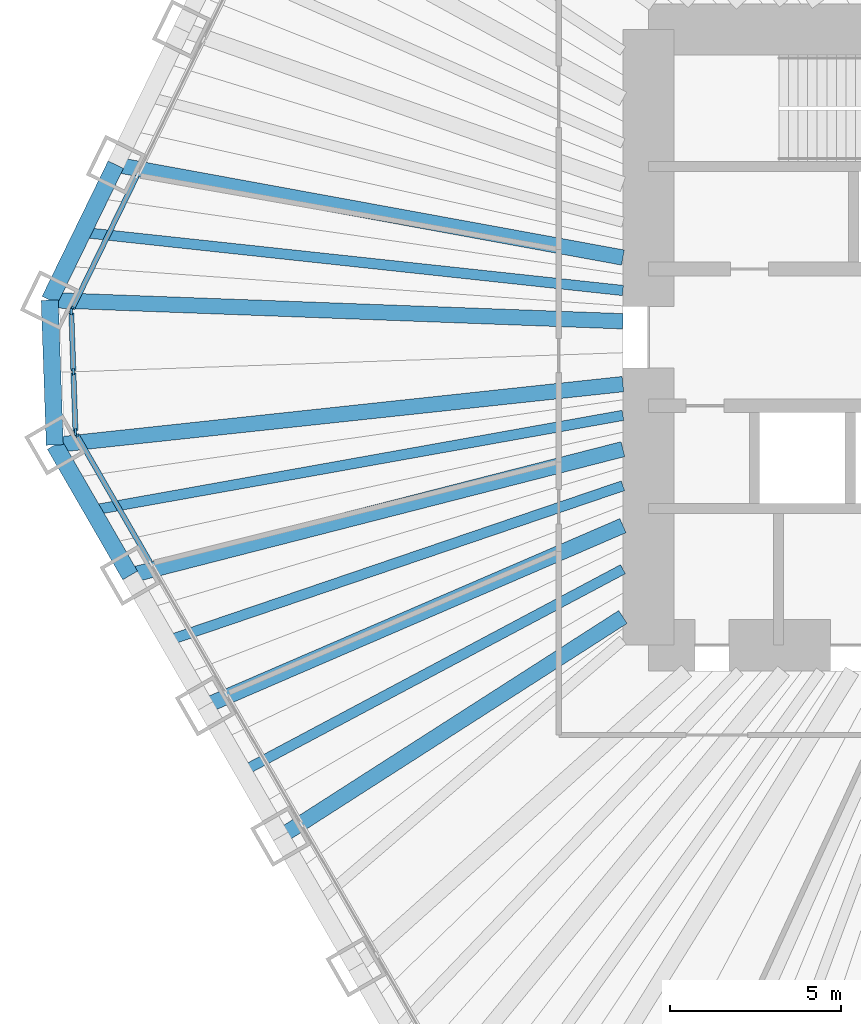
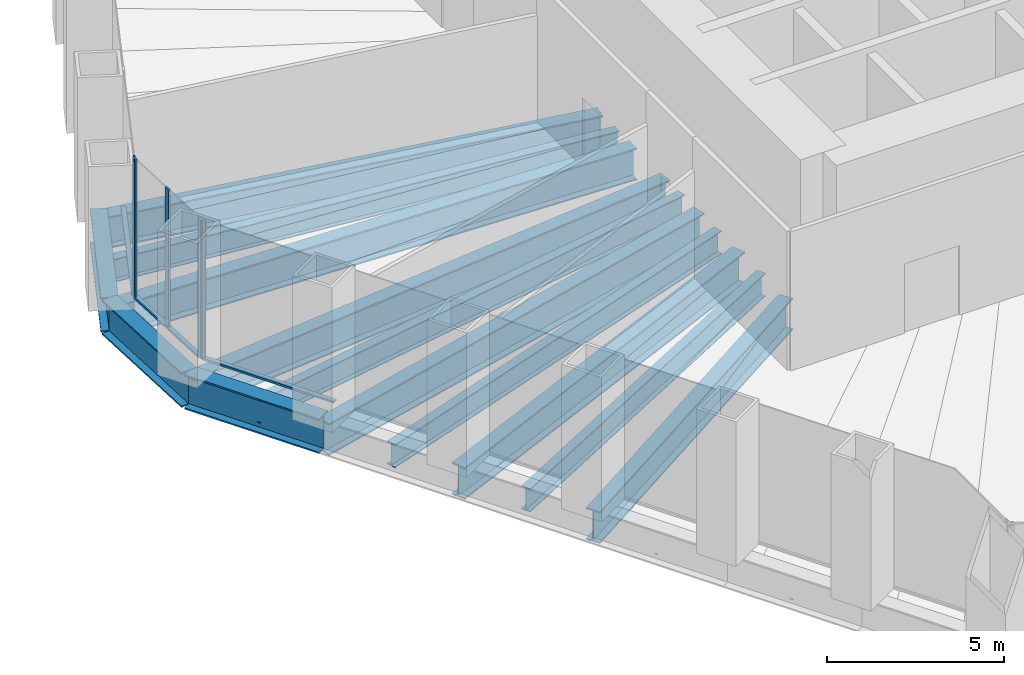
# One storey, part 3 of 13: 13 beams, 9 members, 3 elements without a shape of their own.
"""IFC4 building model written with IfcOpenShell, lengths in metres."""

from ifc_helpers import new_model, si_unit, direction, frame, origin, origin_2d, place, context, subcontext, project, spatial, rectangle, i_section, extrude, material, material_profile, profile_set, type_object, element, aggregate, save


model = new_model("IFC4")

# Units and contexts
model_context = context("Model", 3, precision=1e-05, world=origin(), true_north=direction((0.0, 1.0)))
body_context = subcontext(model_context, "Body", "Model", "MODEL_VIEW")
ifc_project = project(units=[si_unit("LENGTHUNIT", "METRE"), si_unit("AREAUNIT", "SQUARE_METRE"), si_unit("VOLUMEUNIT", "CUBIC_METRE"), si_unit("PLANEANGLEUNIT", "RADIAN"), si_unit("MASSUNIT", "GRAM", prefix="KILO")], contexts=[model_context])

# Site, building, storey
site_placement = place(None, origin())
site = spatial("IfcSite", under=ifc_project, at=site_placement, CompositionType="ELEMENT")
building_placement = place(site_placement, origin())
building = spatial("IfcBuilding", under=site, at=building_placement, Name="Qingtian Harvest Tower", CompositionType="ELEMENT")
storey_placement = place(building_placement, frame((0.0, 0.0, 47.0)))
storey = spatial("IfcBuildingStorey", under=building, at=storey_placement, Name="L09", CompositionType="ELEMENT", Elevation=47.0)

# Beams
ifc_material_1 = material(Name="Steel SM570MC", Category="steel")
ifc_material_profile_1 = material_profile(ifc_material_1, i_section(OverallWidth=0.449951171875, OverallDepth=1.10009765625, WebThickness=0.02197265625, FlangeThickness=0.044921875, at=origin_2d()), Name="H1100x450x22x45")
ifc_profile_set_1 = profile_set([ifc_material_profile_1], Name="Steel SM570MC")
beam_type_1 = type_object("IfcBeamType", Name="Corner floor beam FB8 H1100x450x22x45", PredefinedType="BEAM", material=ifc_profile_set_1)
beam_1_placement = place(storey_placement, frame((-29.36083984375, -3.145751953125, -0.75), z_axis=(0.994308822197, 0.106536219669, 0.0), x_axis=(-0.106536219669, 0.994308822197, 0.0)))
element("IfcBeam", 1, at=beam_1_placement, inside=storey, type_object=beam_type_1, Name="Floor beam FB8 SW6", PredefinedType="BEAM", context=body_context, shape_type="SweptSolid", body=[
    extrude(i_section(OverallWidth=0.449951171875, OverallDepth=1.10009765625, WebThickness=0.02197265625, FlangeThickness=0.044921875, at=origin_2d()), origin(), (0.0, 0.0, 1.0), 16.705810546875),
])
beam_2_placement = place(storey_placement, frame((-29.5087890625, 1.08984375, -0.75), z_axis=(0.999318796571, -0.036904509488, 0.0), x_axis=(0.036904509488, 0.999318796571, 0.0)))
element("IfcBeam", 2, at=beam_2_placement, inside=storey, type_object=beam_type_1, Name="Floor beam FB8 NW0", PredefinedType="BEAM", context=body_context, shape_type="SweptSolid", body=[
    extrude(i_section(OverallWidth=0.449951171875, OverallDepth=1.10009765625, WebThickness=0.02197265625, FlangeThickness=0.044921875, at=origin_2d()), origin(), (0.0, 0.0, 1.0), 16.770263671875),
])
ifc_material_2 = material(Name="Steel SM570MC", Category="steel")
ifc_material_profile_2 = material_profile(ifc_material_2, i_section(OverallWidth=0.449951171875, OverallDepth=1.10009765625, WebThickness=0.02197265625, FlangeThickness=0.044921875, at=origin_2d()), Name="H1100x450x22x45")
ifc_profile_set_2 = profile_set([ifc_material_profile_2], Name="Steel SM570MC")
beam_type_2 = type_object("IfcBeamType", Name="Floor beam FB1 H1100x450x22x45", PredefinedType="BEAM", material=ifc_profile_set_2)
beam_3_placement = place(storey_placement, frame((-22.75390625, -14.589111328125, -0.75), z_axis=(0.841829353865, 0.539743771591, 0.0), x_axis=(-0.539743771591, 0.841829353865, 0.0)))
element("IfcBeam", 3, at=beam_3_placement, inside=storey, type_object=beam_type_2, Name="Floor beam FB1 SW3", PredefinedType="BEAM", context=body_context, shape_type="SweptSolid", body=[
    extrude(i_section(OverallWidth=0.449951171875, OverallDepth=1.10009765625, WebThickness=0.02197265625, FlangeThickness=0.044921875, at=origin_2d()), origin(), (0.0, 0.0, 1.0), 11.883544921875),
])
beam_4_placement = place(storey_placement, frame((-24.9560546875, -10.774658203125, -0.75), z_axis=(0.918083617325, 0.396386770213, 0.0), x_axis=(-0.396386770213, 0.918083617325, 0.0)))
element("IfcBeam", 4, at=beam_4_placement, inside=storey, type_object=beam_type_2, Name="Floor beam FB1 SW4", PredefinedType="BEAM", context=body_context, shape_type="SweptSolid", body=[
    extrude(i_section(OverallWidth=0.449951171875, OverallDepth=1.10009765625, WebThickness=0.02197265625, FlangeThickness=0.044921875, at=origin_2d()), origin(), (0.0, 0.0, 1.0), 13.295166015625),
])
beam_5_placement = place(storey_placement, frame((-27.158447265625, -6.960205078125, -0.75), z_axis=(0.968693729942, 0.248258851947, 0.0), x_axis=(-0.248258851947, 0.968693729942, 0.0)))
element("IfcBeam", 5, at=beam_5_placement, inside=storey, type_object=beam_type_2, Name="Floor beam FB1 SW5", PredefinedType="BEAM", context=body_context, shape_type="SweptSolid", body=[
    extrude(i_section(OverallWidth=0.449951171875, OverallDepth=1.10009765625, WebThickness=0.02197265625, FlangeThickness=0.044921875, at=origin_2d()), origin(), (0.0, 0.0, 1.0), 14.8740234375),
])
beam_6_placement = place(storey_placement, frame((-27.577880859375, 5.048828125, -0.75), z_axis=(0.98365177106, -0.180081074215, 0.0), x_axis=(0.180081074215, 0.98365177106, 0.0)))
element("IfcBeam", 6, at=beam_6_placement, inside=storey, type_object=beam_type_2, Name="Floor beam FB1 NW1", PredefinedType="BEAM", context=body_context, shape_type="SweptSolid", body=[
    extrude(i_section(OverallWidth=0.449951171875, OverallDepth=1.10009765625, WebThickness=0.02197265625, FlangeThickness=0.044921875, at=origin_2d()), origin(), (0.0, 0.0, 1.0), 15.07421875),
])
ifc_material_3 = material(Name="Steel SN490B", Category="steel")
ifc_material_profile_3 = material_profile(ifc_material_3, i_section(OverallWidth=0.300048828125, OverallDepth=0.800048828125, WebThickness=0.013916015625, FlangeThickness=0.02587890625, at=origin_2d()), Name="H800x300x14x26")
ifc_profile_set_3 = profile_set([ifc_material_profile_3], Name="Steel SN490B")
beam_type_3 = type_object("IfcBeamType", Name="Floor joist J1 H800x300x14x26", PredefinedType="JOIST", material=ifc_profile_set_3)
beam_7_placement = place(storey_placement, frame((-23.85498046875, -12.681884765625, -0.60009765625), z_axis=(0.882982474604, 0.469405953885, 0.0), x_axis=(-0.469405953885, 0.882982474604, 0.0)))
element("IfcBeam", 7, at=beam_7_placement, inside=storey, type_object=beam_type_3, Name="Floor joist J1 SW3", PredefinedType="JOIST", context=body_context, shape_type="SweptSolid", body=[
    extrude(i_section(OverallWidth=0.300048828125, OverallDepth=0.800048828125, WebThickness=0.013916015625, FlangeThickness=0.02587890625, at=origin_2d()), origin(), (0.0, 0.0, 1.0), 12.57666015625),
])
beam_8_placement = place(storey_placement, frame((-26.057373046875, -8.867431640625, -0.60009765625), z_axis=(0.946684735425, 0.322161468387, 0.0), x_axis=(-0.322161468387, 0.946684735425, 0.0)))
element("IfcBeam", 8, at=beam_8_placement, inside=storey, type_object=beam_type_3, Name="Floor joist J1 SW4", PredefinedType="JOIST", context=body_context, shape_type="SweptSolid", body=[
    extrude(i_section(OverallWidth=0.300048828125, OverallDepth=0.800048828125, WebThickness=0.013916015625, FlangeThickness=0.02587890625, at=origin_2d()), origin(), (0.0, 0.0, 1.0), 14.056884765625),
])
beam_9_placement = place(storey_placement, frame((-28.259521484375, -5.052978515625, -0.60009765625), z_axis=(0.984387614034, 0.176014275943, 0.0), x_axis=(-0.176014275943, 0.984387614034, 0.0)))
element("IfcBeam", 9, at=beam_9_placement, inside=storey, type_object=beam_type_3, Name="Floor joist J1 SW5", PredefinedType="JOIST", context=body_context, shape_type="SweptSolid", body=[
    extrude(i_section(OverallWidth=0.300048828125, OverallDepth=0.800048828125, WebThickness=0.013916015625, FlangeThickness=0.02587890625, at=origin_2d()), origin(), (0.0, 0.0, 1.0), 15.755615234375),
])
beam_10_placement = place(storey_placement, frame((-28.543212890625, 3.0693359375, -0.60009765625), z_axis=(0.994268320665, -0.106913546948, 0.0), x_axis=(0.106913546948, 0.994268320665, 0.0)))
element("IfcBeam", 10, at=beam_10_placement, inside=storey, type_object=beam_type_3, Name="Floor joist J1 NW0", PredefinedType="JOIST", context=body_context, shape_type="SweptSolid", body=[
    extrude(i_section(OverallWidth=0.300048828125, OverallDepth=0.800048828125, WebThickness=0.013916015625, FlangeThickness=0.02587890625, at=origin_2d()), origin(), (0.0, 0.0, 1.0), 15.88427734375),
])

# Curtain wall, member
ifc_material_4 = material(Name="Bronze-anodised aluminium curtain wall", Category="aluminium")
curtain_wall_type = type_object("IfcCurtainWallType", Name="Curtain wall CW2 farm reception", PredefinedType="USERDEFINED", material=ifc_material_4)
curtain_wall_1_placement = place(storey_placement, origin())
curtain_wall_1 = element("IfcCurtainWall", 11, at=curtain_wall_1_placement, inside=storey, type_object=curtain_wall_type, Name="Curtain wall CW2 L09 SW0-5", ObjectType="RECESSED CURTAIN WALL", PredefinedType="USERDEFINED")
ifc_material_5 = material(Name="Bronze-anodised aluminium mullion", Category="aluminium")
ifc_material_profile_4 = material_profile(ifc_material_5, rectangle(XDim=0.06494140625, YDim=0.199951171875, at=origin_2d()), Name="AL 65x200")
ifc_profile_set_4 = profile_set([ifc_material_profile_4], Name="Bronze-anodised aluminium mullion")
member_type_1 = type_object("IfcMemberType", Name="Mullion CWM 65x200", PredefinedType="MULLION", material=ifc_profile_set_4)
member_1_placement = place(storey_placement, frame((-28.73828125, -2.82373046875, 0.0), z_axis=(0.0, 0.0, 1.0), x_axis=(-0.866025403784, -0.5, 0.0)))
member_1 = element("IfcMember", 12, at=member_1_placement, type_object=member_type_1, Name="CW2 mullion 7", PredefinedType="MULLION", context=body_context, shape_type="SweptSolid", body=[
    extrude(rectangle(XDim=0.06494140625, YDim=0.199951171875, at=origin_2d()), origin(), (0.0, 0.0, 1.0), 4.800048828125),
])

# Curtain wall, members
curtain_wall_2_placement = place(storey_placement, origin())
curtain_wall_2 = element("IfcCurtainWall", 13, at=curtain_wall_2_placement, inside=storey, type_object=curtain_wall_type, Name="Curtain wall CW2 L09 SWC", ObjectType="RECESSED CURTAIN WALL", PredefinedType="USERDEFINED")
member_2_placement = place(storey_placement, frame((-28.755615234375, -2.76318359375, 0.0), z_axis=(0.0, 0.0, 1.0), x_axis=(-0.999390827019, -0.034899496703, 0.0)))
member_2 = element("IfcMember", 14, at=member_2_placement, type_object=member_type_1, Name="CW2 mullion 1", PredefinedType="MULLION", context=body_context, shape_type="SweptSolid", body=[
    extrude(rectangle(XDim=0.06494140625, YDim=0.199951171875, at=origin_2d()), origin(), (0.0, 0.0, 1.0), 4.800048828125),
])
member_3_placement = place(storey_placement, frame((-28.817138671875, -1.00634765625, 0.0), z_axis=(0.0, 0.0, 1.0), x_axis=(-0.999390827019, -0.034899496703, 0.0)))
member_3 = element("IfcMember", 15, at=member_3_placement, type_object=member_type_1, Name="CW2 mullion 2", PredefinedType="MULLION", context=body_context, shape_type="SweptSolid", body=[
    extrude(rectangle(XDim=0.06494140625, YDim=0.199951171875, at=origin_2d()), origin(), (0.0, 0.0, 1.0), 4.800048828125),
])
member_4_placement = place(storey_placement, frame((-28.87841796875, 0.75048828125, 0.0), z_axis=(0.0, 0.0, 1.0), x_axis=(-0.999390827019, -0.034899496703, 0.0)))
member_4 = element("IfcMember", 16, at=member_4_placement, type_object=member_type_1, Name="CW2 mullion 3", PredefinedType="MULLION", context=body_context, shape_type="SweptSolid", body=[
    extrude(rectangle(XDim=0.06494140625, YDim=0.199951171875, at=origin_2d()), origin(), (0.0, 0.0, 1.0), 4.800048828125),
])

# Curtain wall, member
curtain_wall_3_placement = place(storey_placement, origin())
curtain_wall_3 = element("IfcCurtainWall", 17, at=curtain_wall_3_placement, inside=storey, type_object=curtain_wall_type, Name="Curtain wall CW2 L09 NW0-5", ObjectType="RECESSED CURTAIN WALL", PredefinedType="USERDEFINED")
member_5_placement = place(storey_placement, frame((-28.865234375, 0.812255859375, 0.0), z_axis=(0.0, 0.0, 1.0), x_axis=(-0.898794046299, 0.438371146789, 0.0)))
member_5 = element("IfcMember", 18, at=member_5_placement, type_object=member_type_1, Name="CW2 mullion 1", PredefinedType="MULLION", context=body_context, shape_type="SweptSolid", body=[
    extrude(rectangle(XDim=0.06494140625, YDim=0.199951171875, at=origin_2d()), origin(), (0.0, 0.0, 1.0), 4.800048828125),
])

# Beams
ifc_material_6 = material(Name="Steel SM570MC", Category="steel")
ifc_material_profile_5 = material_profile(ifc_material_6, i_section(OverallWidth=0.5, OverallDepth=1.199951171875, WebThickness=0.02490234375, FlangeThickness=0.050048828125, at=origin_2d()), Name="H1200x500x25x50")
ifc_profile_set_5 = profile_set([ifc_material_profile_5], Name="Steel SM570MC")
beam_type_4 = type_object("IfcBeamType", Name="Spandrel beam SB1 H1200x500x25x50", PredefinedType="SPANDREL", material=ifc_profile_set_5)
beam_11_placement = place(storey_placement, frame((-27.158447265625, -6.960205078125, -0.60009765625), z_axis=(-0.50001992892, 0.866013897511, 0.0), x_axis=(-0.866013897511, -0.50001992892, 0.0)))
element("IfcBeam", 19, at=beam_11_placement, inside=storey, type_object=beam_type_4, Name="Spandrel SB1 SW5", PredefinedType="SPANDREL", context=body_context, shape_type="SweptSolid", body=[
    extrude(i_section(OverallWidth=0.5, OverallDepth=1.199951171875, WebThickness=0.02490234375, FlangeThickness=0.050048828125, at=origin_2d()), origin(), (0.0, 0.0, 1.0), 4.404541015625),
])
beam_12_placement = place(storey_placement, frame((-29.36083984375, -3.145751953125, -0.60009765625), z_axis=(-0.034908677553, 0.999390506375, 0.0), x_axis=(-0.999390506375, -0.034908677553, 0.0)))
element("IfcBeam", 20, at=beam_12_placement, inside=storey, type_object=beam_type_4, Name="Spandrel SB1 SWC", PredefinedType="SPANDREL", context=body_context, shape_type="SweptSolid", body=[
    extrude(i_section(OverallWidth=0.5, OverallDepth=1.199951171875, WebThickness=0.02490234375, FlangeThickness=0.050048828125, at=origin_2d()), origin(), (0.0, 0.0, 1.0), 4.23828125),
])
beam_13_placement = place(storey_placement, frame((-29.5087890625, 1.08984375, -0.60009765625), z_axis=(0.438367938366, 0.898795611145, 0.0), x_axis=(-0.898795611145, 0.438367938366, 0.0)))
element("IfcBeam", 21, at=beam_13_placement, inside=storey, type_object=beam_type_4, Name="Spandrel SB1 NW0", PredefinedType="SPANDREL", context=body_context, shape_type="SweptSolid", body=[
    extrude(i_section(OverallWidth=0.5, OverallDepth=1.199951171875, WebThickness=0.02490234375, FlangeThickness=0.050048828125, at=origin_2d()), origin(), (0.0, 0.0, 1.0), 4.40478515625),
])

# Member
ifc_material_7 = material(Name="Bronze-anodised aluminium transom", Category="aluminium")
ifc_material_profile_6 = material_profile(ifc_material_7, rectangle(XDim=0.14990234375, YDim=0.06494140625, at=origin_2d()), Name="AL 65x150")
ifc_profile_set_6 = profile_set([ifc_material_profile_6], Name="Bronze-anodised aluminium transom")
member_type_2 = type_object("IfcMemberType", Name="Transom CWT 65x150", PredefinedType="USERDEFINED", material=ifc_profile_set_6)
member_6_placement = place(storey_placement, frame((-26.568603515625, -6.58203125, 0.032470703125), z_axis=(-0.499967798808, 0.866043994353, 0.0), x_axis=(-0.866043994353, -0.499967798808, 0.0)))
member_6 = element("IfcMember", 22, at=member_6_placement, type_object=member_type_2, Name="CW2 transom 6.1", ObjectType="TRANSOM", PredefinedType="USERDEFINED", context=body_context, shape_type="SweptSolid", body=[
    extrude(rectangle(XDim=0.14990234375, YDim=0.06494140625, at=origin_2d()), origin(), (0.0, 0.0, 1.0), 4.306884765625),
])

aggregate(curtain_wall_1, [member_1, member_6])

member_7_placement = place(storey_placement, frame((-28.7568359375, -2.730712890625, 0.032470703125), z_axis=(-0.034899362377, 0.99939083171, 0.0), x_axis=(-0.99939083171, -0.034899362377, 0.0)))
member_7 = element("IfcMember", 23, at=member_7_placement, type_object=member_type_2, Name="CW2 transom 1.1", ObjectType="TRANSOM", PredefinedType="USERDEFINED", context=body_context, shape_type="SweptSolid", body=[
    extrude(rectangle(XDim=0.14990234375, YDim=0.06494140625, at=origin_2d()), origin(), (0.0, 0.0, 1.0), 1.69287109375),
])

member_8_placement = place(storey_placement, frame((-28.818115234375, -0.973876953125, 0.032470703125), z_axis=(-0.034899362377, 0.99939083171, 0.0), x_axis=(-0.99939083171, -0.034899362377, 0.0)))
member_8 = element("IfcMember", 24, at=member_8_placement, type_object=member_type_2, Name="CW2 transom 2.1", ObjectType="TRANSOM", PredefinedType="USERDEFINED", context=body_context, shape_type="SweptSolid", body=[
    extrude(rectangle(XDim=0.14990234375, YDim=0.06494140625, at=origin_2d()), origin(), (0.0, 0.0, 1.0), 1.69287109375),
])

aggregate(curtain_wall_2, [member_2, member_3, member_4, member_7, member_8])

member_9_placement = place(storey_placement, frame((-28.85107421875, 0.841552734375, 0.032470703125), z_axis=(0.438394595167, 0.898782609383, 0.0), x_axis=(-0.898782609383, 0.438394595167, 0.0)))
member_9 = element("IfcMember", 25, at=member_9_placement, type_object=member_type_2, Name="CW2 transom 1.1", ObjectType="TRANSOM", PredefinedType="USERDEFINED", context=body_context, shape_type="SweptSolid", body=[
    extrude(rectangle(XDim=0.14990234375, YDim=0.06494140625, at=origin_2d()), origin(), (0.0, 0.0, 1.0), 4.30712890625),
])

aggregate(curtain_wall_3, [member_5, member_9])

save(model, "model.ifc")
